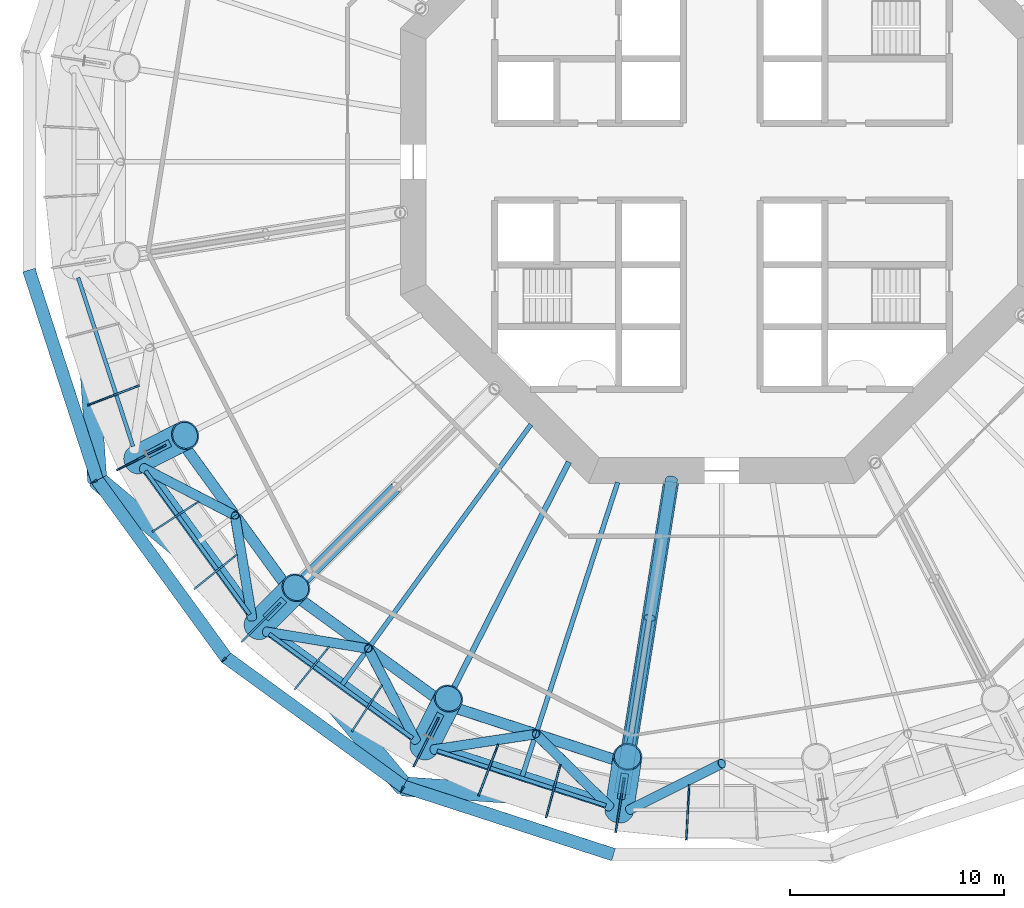
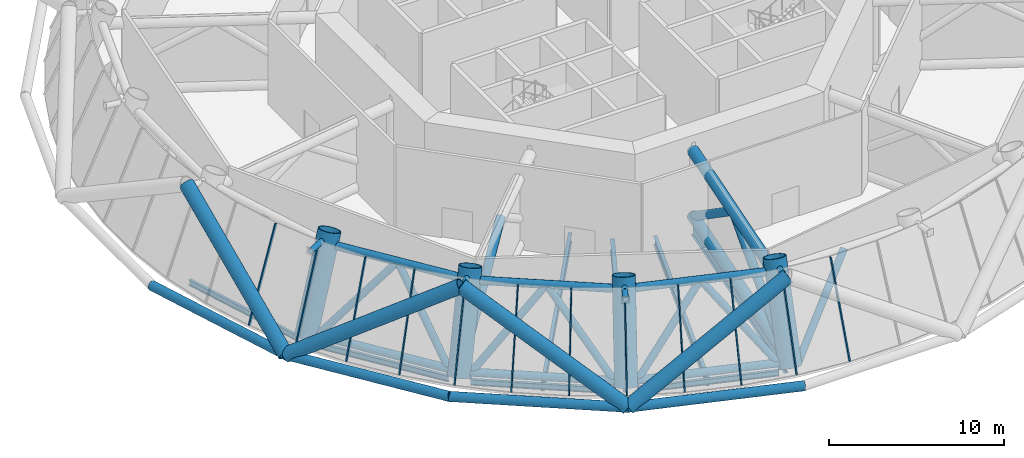
# One storey, part 1 of 18: 46 members, 8 beams, 5 elements without a shape of their own.
"""IFC4 building model written with IfcOpenShell, lengths in metres."""

from ifc_helpers import new_model, si_unit, direction, frame, origin, origin_2d, place, context, subcontext, project, spatial, rectangle, circle, hollow_circle, i_section, extrude, material, layer, layer_set, material_profile, profile_set, type_object, element, aggregate, save


model = new_model("IFC4")

# Units and contexts
model_context = context("Model", 3, precision=1e-05, world=origin(), true_north=direction((0.0, 1.0)))
body_context = subcontext(model_context, "Body", "Model", "MODEL_VIEW")
ifc_project = project(units=[si_unit("LENGTHUNIT", "METRE"), si_unit("AREAUNIT", "SQUARE_METRE"), si_unit("VOLUMEUNIT", "CUBIC_METRE"), si_unit("PLANEANGLEUNIT", "RADIAN"), si_unit("MASSUNIT", "GRAM", prefix="KILO")], contexts=[model_context])

# Site, building, storey
site_placement = place(None, origin())
site = spatial("IfcSite", under=ifc_project, at=site_placement, CompositionType="ELEMENT")
building_placement = place(site_placement, origin())
building = spatial("IfcBuilding", under=site, at=building_placement, Name="Entoto Ring Tower", CompositionType="ELEMENT")
storey_placement = place(building_placement, frame((0.0, 0.0, 138.0)))
storey = spatial("IfcBuildingStorey", under=building, at=storey_placement, Name="L31", CompositionType="ELEMENT", Elevation=138.0)

# Members
ifc_material_1 = material(Name="Steel S355", Category="steel")
ifc_material_profile_1 = material_profile(ifc_material_1, hollow_circle(Radius=0.449951171875, WallThickness=0.044921875, at=origin_2d()), Name="CHS 900 x 45")
ifc_material_2 = material(Name="Concrete C60/75", Category="concrete")
ifc_material_profile_2 = material_profile(ifc_material_2, circle(Radius=0.405029296875, at=origin_2d()), Name="Concrete C60/75 infill")
ifc_profile_set_1 = profile_set([ifc_material_profile_1, ifc_material_profile_2], Name="Steel S355")
member_type_1 = type_object("IfcMemberType", Name="Diagrid diagonal 900 x 45 concrete-filled tube", PredefinedType="BRACE", material=ifc_profile_set_1)
member_1_placement = place(storey_placement, frame((60.864013671875, 65.154541015625, 0.0), z_axis=(-0.058724268288, 0.858720728799, 0.509067942661), x_axis=(-0.997669863704, -0.068226410257, 0.0)))
element("IfcMember", 1, at=member_1_placement, inside=storey, type_object=member_type_1, Name="DG2 module 10 11", PredefinedType="BRACE", context=body_context, shape_type="SweptSolid", body=[
    extrude(hollow_circle(Radius=0.449951171875, WallThickness=0.044921875, at=origin_2d()), origin(), (0.0, 0.0, 1.0), 11.7861328125),
])
for number, where, z_axis, x_axis, name in (
    (2, (60.864013671875, 65.154541015625, 0.0), (0.660190481953, -0.552271543356, 0.509062540301), (0.641631920107, 0.767012698134, 0.0), "DG2 module 10 12"),
    (3, (75.154541015625, 50.864013671875, 0.0), (-0.552271543356, 0.660190481953, 0.509062540301), (-0.767012698134, -0.641631920107, 0.0), "DG2 module 10 13"),
):
    element("IfcMember", number, at=place(storey_placement, frame(where, z_axis=z_axis, x_axis=x_axis)), inside=storey, type_object=member_type_1, Name=name, PredefinedType="BRACE", context=body_context, shape_type="SweptSolid", body=[
        extrude(hollow_circle(Radius=0.449951171875, WallThickness=0.044921875, at=origin_2d()), origin(), (0.0, 0.0, 1.0), 11.786376953125),
    ])
member_2_placement = place(storey_placement, frame((75.154541015625, 50.864013671875, 0.0), z_axis=(0.858720728799, -0.058724268288, 0.509067942661), x_axis=(0.068226410257, 0.997669863704, 0.0)))
element("IfcMember", 4, at=member_2_placement, inside=storey, type_object=member_type_1, Name="DG2 module 10 14", PredefinedType="BRACE", context=body_context, shape_type="SweptSolid", body=[
    extrude(hollow_circle(Radius=0.449951171875, WallThickness=0.044921875, at=origin_2d()), origin(), (0.0, 0.0, 1.0), 11.7861328125),
])
ifc_material_3 = material(Name="Steel S355", Category="steel")
ifc_material_profile_3 = material_profile(ifc_material_3, hollow_circle(Radius=0.177734375, WallThickness=0.01611328125, at=origin_2d()), Name="CHS 355.6 x 16")
ifc_material_4 = material(Name="Concrete C60/75", Category="concrete")
ifc_material_profile_4 = material_profile(ifc_material_4, circle(Radius=0.161865234375, at=origin_2d()), Name="Concrete C60/75 infill")
ifc_profile_set_2 = profile_set([ifc_material_profile_3, ifc_material_profile_4], Name="Steel S355")
member_type_2 = type_object("IfcMemberType", Name="Diagrid node strut 355.6 x 16", PredefinedType="STRUT", material=ifc_profile_set_2)
member_3_placement = place(storey_placement, frame((64.25732421875, 66.883544921875, 5.672119140625), z_axis=(-0.891007115266, -0.453989339683, 0.0), x_axis=(0.453989339683, -0.891007115266, 0.0)))
element("IfcMember", 5, at=member_3_placement, inside=storey, type_object=member_type_2, Name="DS1 strut ring 10 12", PredefinedType="STRUT", context=body_context, shape_type="SweptSolid", body=[
    extrude(hollow_circle(Radius=0.177734375, WallThickness=0.01611328125, at=origin_2d()), origin(), (0.0, 0.0, 1.0), 1.208251953125),
])
member_4_placement = place(storey_placement, frame((69.570556640625, 59.570556640625, 5.672119140625), z_axis=(-0.707106781187, -0.707106781187, 0.0), x_axis=(0.707106781187, -0.707106781187, 0.0)))
element("IfcMember", 6, at=member_4_placement, inside=storey, type_object=member_type_2, Name="DS1 strut ring 10 13", PredefinedType="STRUT", context=body_context, shape_type="SweptSolid", body=[
    extrude(hollow_circle(Radius=0.177734375, WallThickness=0.01611328125, at=origin_2d()), origin(), (0.0, 0.0, 1.0), 1.20849609375),
])
member_5_placement = place(storey_placement, frame((76.883544921875, 54.25732421875, 5.672119140625), z_axis=(-0.453989339683, -0.891007115266, 0.0), x_axis=(0.891007115266, -0.453989339683, 0.0)))
element("IfcMember", 7, at=member_5_placement, inside=storey, type_object=member_type_2, Name="DS1 strut ring 10 14", PredefinedType="STRUT", context=body_context, shape_type="SweptSolid", body=[
    extrude(hollow_circle(Radius=0.177734375, WallThickness=0.01611328125, at=origin_2d()), origin(), (0.0, 0.0, 1.0), 1.208251953125),
])
member_6_placement = place(storey_placement, frame((85.48046875, 51.464111328125, 5.672119140625), z_axis=(-0.156564231664, -0.987667778842, 0.0), x_axis=(0.987667778842, -0.156564231664, 0.0)))
element("IfcMember", 8, at=member_6_placement, inside=storey, type_object=member_type_2, Name="DS1 strut ring 10 15", PredefinedType="STRUT", context=body_context, shape_type="SweptSolid", body=[
    extrude(hollow_circle(Radius=0.177734375, WallThickness=0.01611328125, at=origin_2d()), origin(), (0.0, 0.0, 1.0), 1.20849609375),
])
ifc_material_5 = material(Name="Steel S355", Category="steel")
ifc_material_profile_5 = material_profile(ifc_material_5, hollow_circle(Radius=0.300048828125, WallThickness=0.030029296875, at=origin_2d()), Name="CHS 600 x 30")
ifc_material_6 = material(Name="Concrete C60/75", Category="concrete")
ifc_material_profile_6 = material_profile(ifc_material_6, circle(Radius=0.27001953125, at=origin_2d()), Name="Concrete C60/75 infill")
ifc_profile_set_3 = profile_set([ifc_material_profile_5, ifc_material_profile_6], Name="Steel S355")
member_type_3 = type_object("IfcMemberType", Name="Diagrid ring beam 600 x 30", PredefinedType="CHORD", material=ifc_profile_set_3)
member_7_placement = place(storey_placement, frame((57.681640625, 74.94873046875, 0.0), z_axis=(0.309032815696, -0.951051375491, 0.0), x_axis=(0.951051375491, 0.309032815696, 0.0)))
element("IfcMember", 9, at=member_7_placement, inside=storey, type_object=member_type_3, Name="DR1 ring 9 10", PredefinedType="CHORD", context=body_context, shape_type="SweptSolid", body=[
    extrude(hollow_circle(Radius=0.300048828125, WallThickness=0.030029296875, at=origin_2d()), origin(), (0.0, 0.0, 1.0), 10.36572265625),
])
for number, where, z_axis, x_axis, name in (
    (10, (60.824462890625, 65.209228515625, 0.0), (0.587773909122, -0.809025235549, 0.0), (0.809025235549, 0.587773909122, 0.0), "DR1 ring 9 11"),
    (11, (66.822998046875, 56.917236328125, 0.0), (0.809025235549, -0.587773909122, 0.0), (0.587773909122, 0.809025235549, 0.0), "DR1 ring 9 12"),
):
    element("IfcMember", number, at=place(storey_placement, frame(where, z_axis=z_axis, x_axis=x_axis)), inside=storey, type_object=member_type_3, Name=name, PredefinedType="CHORD", context=body_context, shape_type="SweptSolid", body=[
        extrude(hollow_circle(Radius=0.300048828125, WallThickness=0.030029296875, at=origin_2d()), origin(), (0.0, 0.0, 1.0), 10.365966796875),
    ])
member_8_placement = place(storey_placement, frame((75.09033203125, 50.885009765625, 0.0), z_axis=(0.951051375491, -0.309032815696, 0.0), x_axis=(0.309032815696, 0.951051375491, 0.0)))
element("IfcMember", 12, at=member_8_placement, inside=storey, type_object=member_type_3, Name="DR1 ring 9 13", PredefinedType="CHORD", context=body_context, shape_type="SweptSolid", body=[
    extrude(hollow_circle(Radius=0.300048828125, WallThickness=0.030029296875, at=origin_2d()), origin(), (0.0, 0.0, 1.0), 10.36572265625),
])

# Beams
ifc_material_7 = material(Name="Steel S355", Category="steel")
ifc_material_profile_7 = material_profile(ifc_material_7, i_section(OverallWidth=0.179931640625, OverallDepth=0.39990234375, WebThickness=0.008544921875, FlangeThickness=0.013427734375, FilletRadius=0.02099609375, at=origin_2d()), Name="IPE 400")
ifc_profile_set_4 = profile_set([ifc_material_profile_7], Name="Steel S355")
beam_type_1 = type_object("IfcBeamType", Name="Edge beam IPE 400", PredefinedType="SPANDREL", material=ifc_profile_set_4)
beam_1_placement = place(storey_placement, frame((59.977294921875, 74.595947265625, -0.35009765625), z_axis=(0.309014697302, -0.951057262656, 0.0), x_axis=(0.951057262656, 0.309014697302, 0.0)))
element("IfcBeam", 13, at=beam_1_placement, inside=storey, type_object=beam_type_1, Name="Edge beam L31 11", PredefinedType="SPANDREL", context=body_context, shape_type="SweptSolid", body=[
    extrude(i_section(OverallWidth=0.179931640625, OverallDepth=0.39990234375, WebThickness=0.008544921875, FlangeThickness=0.013427734375, FilletRadius=0.02099609375, at=origin_2d()), origin(), (0.0, 0.0, 1.0), 8.27587890625),
])
for number, where, z_axis, x_axis, name in (
    (14, (63.11669921875, 65.5830078125, -0.35009765625), (0.587776972549, -0.809023009896, 0.0), (0.809023009896, 0.587776972549, 0.0), "Edge beam L31 12"),
    (15, (68.887451171875, 57.981201171875, -0.35009765625), (0.809023009896, -0.587776972549, 0.0), (0.587776972549, 0.809023009896, 0.0), "Edge beam L31 13"),
):
    element("IfcBeam", number, at=place(storey_placement, frame(where, z_axis=z_axis, x_axis=x_axis)), inside=storey, type_object=beam_type_1, Name=name, PredefinedType="SPANDREL", context=body_context, shape_type="SweptSolid", body=[
        extrude(i_section(OverallWidth=0.179931640625, OverallDepth=0.39990234375, WebThickness=0.008544921875, FlangeThickness=0.013427734375, FilletRadius=0.02099609375, at=origin_2d()), origin(), (0.0, 0.0, 1.0), 8.276123046875),
    ])
beam_2_placement = place(storey_placement, frame((76.72509765625, 52.53466796875, -0.35009765625), z_axis=(0.951057262656, -0.309014697302, 0.0), x_axis=(0.309014697302, 0.951057262656, 0.0)))
element("IfcBeam", 16, at=beam_2_placement, inside=storey, type_object=beam_type_1, Name="Edge beam L31 14", PredefinedType="SPANDREL", context=body_context, shape_type="SweptSolid", body=[
    extrude(i_section(OverallWidth=0.179931640625, OverallDepth=0.39990234375, WebThickness=0.008544921875, FlangeThickness=0.013427734375, FilletRadius=0.02099609375, at=origin_2d()), origin(), (0.0, 0.0, 1.0), 8.27587890625),
])

# Curtain wall, member
ifc_material_8 = material(Name="Anodised aluminium", Category="aluminium")
ifc_layer = layer(ifc_material_8, 0.10009765625)
ifc_layer_set = layer_set([ifc_layer], Name="Anodised aluminium")
curtain_wall_type = type_object("IfcCurtainWallType", Name="Louvre curtain wall system CW7", PredefinedType="NOTDEFINED", material=ifc_layer_set)
curtain_wall_1_placement = place(storey_placement, origin())
curtain_wall_1 = element("IfcCurtainWall", 17, at=curtain_wall_1_placement, inside=storey, type_object=curtain_wall_type, Name="CW7 L31-11", PredefinedType="NOTDEFINED")
ifc_material_9 = material(Name="Anodised aluminium", Category="aluminium")
ifc_material_profile_8 = material_profile(ifc_material_9, rectangle(XDim=0.080078125, YDim=0.199951171875, at=origin_2d()), Name="Mullion 80 x 200 mm anodised aluminium")
ifc_profile_set_5 = profile_set([ifc_material_profile_8], Name="Anodised aluminium")
member_type_4 = type_object("IfcMemberType", Name="Mullion 80 x 200 mm anodised aluminium", PredefinedType="MULLION", material=ifc_profile_set_5)
member_9_placement = place(storey_placement, frame((60.506103515625, 68.67822265625, 0.03857421875), z_axis=(0.359065607861, 0.137840906866, 0.92307733893), x_axis=(-0.358387287841, 0.933573002991, 0.0)))
member_9 = element("IfcMember", 18, at=member_9_placement, type_object=member_type_4, Name="MULLION L31-32", PredefinedType="MULLION", context=body_context, shape_type="SweptSolid", body=[
    extrude(rectangle(XDim=0.080078125, YDim=0.199951171875, at=origin_2d()), origin(), (0.0, 0.0, 1.0), 6.25390625),
])
aggregate(curtain_wall_1, [member_9])

# Curtain wall, members
curtain_wall_2_placement = place(storey_placement, origin())
curtain_wall_2 = element("IfcCurtainWall", 19, at=curtain_wall_2_placement, inside=storey, type_object=curtain_wall_type, Name="CW7 L31-12", PredefinedType="NOTDEFINED")
member_10_placement = place(storey_placement, frame((61.85107421875, 65.657470703125, 0.03857421875), z_axis=(0.342707021712, 0.174613111757, 0.923072130698), x_axis=(-0.453980514773, 0.891011611713, 0.0)))
member_10 = element("IfcMember", 20, at=member_10_placement, type_object=member_type_4, Name="MULLION L31-33", PredefinedType="MULLION", context=body_context, shape_type="SweptSolid", body=[
    extrude(rectangle(XDim=0.080078125, YDim=0.199951171875, at=origin_2d()), origin(), (0.0, 0.0, 1.0), 6.254150390625),
])
member_11_placement = place(storey_placement, frame((63.50439453125, 62.793701171875, 0.03857421875), z_axis=(0.322565689083, 0.209474462982, 0.923077367064), x_axis=(-0.544635112654, 0.838673115143, 0.0)))
member_11 = element("IfcMember", 21, at=member_11_placement, type_object=member_type_4, Name="MULLION L31-34", PredefinedType="MULLION", context=body_context, shape_type="SweptSolid", body=[
    extrude(rectangle(XDim=0.080078125, YDim=0.199951171875, at=origin_2d()), origin(), (0.0, 0.0, 1.0), 6.25390625),
])
member_12_placement = place(storey_placement, frame((65.4482421875, 60.118408203125, 0.03857421875), z_axis=(0.298909386308, 0.242031891748, 0.923078405204), x_axis=(-0.629288738535, 0.777171592091, 0.0)))
member_12 = element("IfcMember", 22, at=member_12_placement, type_object=member_type_4, Name="MULLION L31-35", PredefinedType="MULLION", context=body_context, shape_type="SweptSolid", body=[
    extrude(rectangle(XDim=0.080078125, YDim=0.199951171875, at=origin_2d()), origin(), (0.0, 0.0, 1.0), 6.25390625),
])
aggregate(curtain_wall_2, [member_10, member_11, member_12])

curtain_wall_3_placement = place(storey_placement, origin())
curtain_wall_3 = element("IfcCurtainWall", 23, at=curtain_wall_3_placement, inside=storey, type_object=curtain_wall_type, Name="CW7 L31-13", PredefinedType="NOTDEFINED")
member_13_placement = place(storey_placement, frame((67.660888671875, 57.660888671875, 0.03857421875), z_axis=(0.271971811529, 0.271971811529, 0.923072406405), x_axis=(-0.707106781187, 0.707106781187, 0.0)))
member_13 = element("IfcMember", 24, at=member_13_placement, type_object=member_type_4, Name="MULLION L31-36", PredefinedType="MULLION", context=body_context, shape_type="SweptSolid", body=[
    extrude(rectangle(XDim=0.080078125, YDim=0.199951171875, at=origin_2d()), origin(), (0.0, 0.0, 1.0), 6.254150390625),
])
member_14_placement = place(storey_placement, frame((70.118408203125, 55.4482421875, 0.03857421875), z_axis=(0.242031891748, 0.298909386308, 0.923078405204), x_axis=(-0.777171592091, 0.629288738535, 0.0)))
member_14 = element("IfcMember", 25, at=member_14_placement, type_object=member_type_4, Name="MULLION L31-37", PredefinedType="MULLION", context=body_context, shape_type="SweptSolid", body=[
    extrude(rectangle(XDim=0.080078125, YDim=0.199951171875, at=origin_2d()), origin(), (0.0, 0.0, 1.0), 6.25390625),
])
member_15_placement = place(storey_placement, frame((72.793701171875, 53.50439453125, 0.03857421875), z_axis=(0.209474462982, 0.322565689083, 0.923077367064), x_axis=(-0.838673115143, 0.544635112654, 0.0)))
member_15 = element("IfcMember", 26, at=member_15_placement, type_object=member_type_4, Name="MULLION L31-38", PredefinedType="MULLION", context=body_context, shape_type="SweptSolid", body=[
    extrude(rectangle(XDim=0.080078125, YDim=0.199951171875, at=origin_2d()), origin(), (0.0, 0.0, 1.0), 6.25390625),
])
aggregate(curtain_wall_3, [member_13, member_14, member_15])

curtain_wall_4_placement = place(storey_placement, origin())
curtain_wall_4 = element("IfcCurtainWall", 27, at=curtain_wall_4_placement, inside=storey, type_object=curtain_wall_type, Name="CW7 L31-14", PredefinedType="NOTDEFINED")
member_16_placement = place(storey_placement, frame((75.657470703125, 51.85107421875, 0.03857421875), z_axis=(0.174613111757, 0.342707021712, 0.923072130698), x_axis=(-0.891011611713, 0.453980514773, 0.0)))
member_16 = element("IfcMember", 28, at=member_16_placement, type_object=member_type_4, Name="MULLION L31-39", PredefinedType="MULLION", context=body_context, shape_type="SweptSolid", body=[
    extrude(rectangle(XDim=0.080078125, YDim=0.199951171875, at=origin_2d()), origin(), (0.0, 0.0, 1.0), 6.254150390625),
])
member_17_placement = place(storey_placement, frame((78.67822265625, 50.506103515625, 0.03857421875), z_axis=(0.137840906866, 0.359065607861, 0.92307733893), x_axis=(-0.933573002991, 0.358387287841, 0.0)))
member_17 = element("IfcMember", 29, at=member_17_placement, type_object=member_type_4, Name="MULLION L31-40", PredefinedType="MULLION", context=body_context, shape_type="SweptSolid", body=[
    extrude(rectangle(XDim=0.080078125, YDim=0.199951171875, at=origin_2d()), origin(), (0.0, 0.0, 1.0), 6.25390625),
])
member_18_placement = place(storey_placement, frame((81.8232421875, 49.484130859375, 0.03857421875), z_axis=(0.099544909119, 0.371517215719, 0.923074086676), x_axis=(-0.965927664957, 0.258812183003, 0.0)))
member_18 = element("IfcMember", 30, at=member_18_placement, type_object=member_type_4, Name="MULLION L31-41", PredefinedType="MULLION", context=body_context, shape_type="SweptSolid", body=[
    extrude(rectangle(XDim=0.080078125, YDim=0.199951171875, at=origin_2d()), origin(), (0.0, 0.0, 1.0), 6.254150390625),
])
aggregate(curtain_wall_4, [member_16, member_17, member_18])

curtain_wall_5_placement = place(storey_placement, origin())
curtain_wall_5 = element("IfcCurtainWall", 31, at=curtain_wall_5_placement, inside=storey, type_object=curtain_wall_type, Name="CW7 L31-15", PredefinedType="NOTDEFINED")
member_19_placement = place(storey_placement, frame((85.057861328125, 48.796630859375, 0.03857421875), z_axis=(0.060156755817, 0.379873712431, 0.923080238838), x_axis=(-0.987692088264, 0.156410801358, 0.0)))
member_19 = element("IfcMember", 32, at=member_19_placement, type_object=member_type_4, Name="MULLION L31-42", PredefinedType="MULLION", context=body_context, shape_type="SweptSolid", body=[
    extrude(rectangle(XDim=0.080078125, YDim=0.199951171875, at=origin_2d()), origin(), (0.0, 0.0, 1.0), 6.25390625),
])
member_20_placement = place(storey_placement, frame((88.3466796875, 48.450927734375, 0.03857421875), z_axis=(0.020104239044, 0.384088559131, 0.923077352293), x_axis=(-0.998632928395, 0.052271161513, 0.0)))
member_20 = element("IfcMember", 33, at=member_20_placement, type_object=member_type_4, Name="MULLION L31-43", PredefinedType="MULLION", context=body_context, shape_type="SweptSolid", body=[
    extrude(rectangle(XDim=0.080078125, YDim=0.199951171875, at=origin_2d()), origin(), (0.0, 0.0, 1.0), 6.25390625),
])
aggregate(curtain_wall_5, [member_19, member_20])

# Members
ifc_material_10 = material(Name="Steel S355", Category="steel")
ifc_material_profile_9 = material_profile(ifc_material_10, hollow_circle(Radius=0.35546875, WallThickness=0.0400390625, at=origin_2d()), Name="CHS 711 x 40")
ifc_material_11 = material(Name="Concrete C60/75", Category="concrete")
ifc_material_profile_10 = material_profile(ifc_material_11, circle(Radius=0.3154296875, at=origin_2d()), Name="Concrete C60/75 infill")
ifc_profile_set_6 = profile_set([ifc_material_profile_9, ifc_material_profile_10], Name="Steel S355")
member_type_5 = type_object("IfcMemberType", Name="Outrigger chord 711 x 40", PredefinedType="CHORD", material=ifc_profile_set_6)
member_21_placement = place(storey_placement, frame((87.63623046875, 65.075439453125, 0.35546875), z_axis=(-0.156443123004, -0.987686969269, 0.0), x_axis=(0.987686969269, -0.156443123004, 0.0)))
element("IfcMember", 34, at=member_21_placement, inside=storey, type_object=member_type_5, Name="OR1 L31 bottom 08", PredefinedType="CHORD", context=body_context, shape_type="SweptSolid", body=[
    extrude(hollow_circle(Radius=0.35546875, WallThickness=0.0400390625, at=origin_2d()), origin(), (0.0, 0.0, 1.0), 14.739501953125),
])
member_22_placement = place(storey_placement, frame((87.63623046875, 65.075439453125, 4.89453125), z_axis=(-0.156440678087, -0.987687356525, 0.0), x_axis=(0.987687356525, -0.156440678087, 0.0)))
element("IfcMember", 35, at=member_22_placement, inside=storey, type_object=member_type_5, Name="OR1 L31 top 08", PredefinedType="CHORD", context=body_context, shape_type="SweptSolid", body=[
    extrude(hollow_circle(Radius=0.35546875, WallThickness=0.0400390625, at=origin_2d()), origin(), (0.0, 0.0, 1.0), 12.848388671875),
])
ifc_material_12 = material(Name="Steel S355", Category="steel")
ifc_material_profile_11 = material_profile(ifc_material_12, hollow_circle(Radius=0.279541015625, WallThickness=0.031982421875, at=origin_2d()), Name="CHS 559 x 32")
ifc_material_13 = material(Name="Concrete C60/75", Category="concrete")
ifc_material_profile_12 = material_profile(ifc_material_13, circle(Radius=0.24755859375, at=origin_2d()), Name="Concrete C60/75 infill")
ifc_profile_set_7 = profile_set([ifc_material_profile_11, ifc_material_profile_12], Name="Steel S355")
member_type_6 = type_object("IfcMemberType", Name="Outrigger diagonal 559 x 32", PredefinedType="BRACE", material=ifc_profile_set_7)
member_23_placement = place(storey_placement, frame((74.837646484375, 64.837646484375, 4.89453125), z_axis=(-0.62097693458, -0.62097693458, -0.478304603197), x_axis=(0.707106781187, -0.707106781187, 0.0)))
element("IfcMember", 36, at=member_23_placement, inside=storey, type_object=member_type_6, Name="OR2 L31 07 2", PredefinedType="BRACE", context=body_context, shape_type="SweptSolid", body=[
    extrude(hollow_circle(Radius=0.279541015625, WallThickness=0.031982421875, at=origin_2d()), origin(), (0.0, 0.0, 1.0), 9.59814453125),
])
member_24_placement = place(storey_placement, frame((87.653076171875, 65.182373046875, 0.223388671875), z_axis=(-0.127267435137, -0.803483969529, 0.581563849172), x_axis=(0.98768680661, -0.156444149931, 0.0)))
element("IfcMember", 37, at=member_24_placement, inside=storey, type_object=member_type_6, Name="OR2 L31 08 1", PredefinedType="BRACE", context=body_context, shape_type="SweptSolid", body=[
    extrude(hollow_circle(Radius=0.279541015625, WallThickness=0.031982421875, at=origin_2d()), origin(), (0.0, 0.0, 1.0), 8.031982421875),
])
member_25_placement = place(storey_placement, frame((86.630859375, 58.728759765625, 4.89453125), z_axis=(-0.137005124238, -0.865125410982, -0.48248069309), x_axis=(0.987691388535, -0.156415219895, 0.0)))
element("IfcMember", 38, at=member_25_placement, inside=storey, type_object=member_type_6, Name="OR2 L31 08 2", PredefinedType="BRACE", context=body_context, shape_type="SweptSolid", body=[
    extrude(hollow_circle(Radius=0.279541015625, WallThickness=0.031982421875, at=origin_2d()), origin(), (0.0, 0.0, 1.0), 9.517578125),
])

# Beams
ifc_material_14 = material(Name="Steel S355", Category="steel")
ifc_material_profile_13 = material_profile(ifc_material_14, i_section(OverallWidth=0.262939453125, OverallDepth=0.7529296875, WebThickness=0.011474609375, FlangeThickness=0.01708984375, FilletRadius=0.01708984375, at=origin_2d()), Name="IPE 750 x 137")
ifc_profile_set_8 = profile_set([ifc_material_profile_13], Name="Steel S355")
beam_type_2 = type_object("IfcBeamType", Name="Primary floor beam IPE 750 x 137", PredefinedType="BEAM", material=ifc_profile_set_8)
beam_3_placement = place(storey_placement, frame((82.8681640625, 66.0029296875, -0.526611328125), z_axis=(-0.453992772788, -0.891005366009, 0.0), x_axis=(0.891005366009, -0.453992772788, 0.0)))
element("IfcBeam", 39, at=beam_3_placement, inside=storey, type_object=beam_type_2, Name="Primary L31 R14", PredefinedType="BEAM", context=body_context, shape_type="SweptSolid", body=[
    extrude(i_section(OverallWidth=0.262939453125, OverallDepth=0.7529296875, WebThickness=0.011474609375, FlangeThickness=0.01708984375, FilletRadius=0.01708984375, at=origin_2d()), origin(), (0.0, 0.0, 1.0), 14.24853515625),
])
beam_4_placement = place(storey_placement, frame((87.630615234375, 65.040283203125, -0.526611328125), z_axis=(-0.156439088977, -0.987687608224, 0.0), x_axis=(0.987687608224, -0.156439088977, 0.0)))
element("IfcBeam", 40, at=beam_4_placement, inside=storey, type_object=beam_type_2, Name="Primary L31 R15", PredefinedType="BEAM", context=body_context, shape_type="SweptSolid", body=[
    extrude(i_section(OverallWidth=0.262939453125, OverallDepth=0.7529296875, WebThickness=0.011474609375, FlangeThickness=0.01708984375, FilletRadius=0.01708984375, at=origin_2d()), origin(), (0.0, 0.0, 1.0), 14.811767578125),
])

# Members
ifc_material_15 = material(Name="Steel S355", Category="steel")
ifc_material_profile_14 = material_profile(ifc_material_15, hollow_circle(Radius=0.675048828125, WallThickness=0.06005859375, at=origin_2d()), Name="CHS 1350 x 60")
ifc_material_16 = material(Name="Concrete C60/75", Category="concrete")
ifc_material_profile_15 = material_profile(ifc_material_16, circle(Radius=0.614990234375, at=origin_2d()), Name="Concrete C60/75 infill")
ifc_profile_set_9 = profile_set([ifc_material_profile_14, ifc_material_profile_15], Name="Steel S355")
member_type_7 = type_object("IfcMemberType", Name="Ring column jog 1350 x 60 concrete-filled tube", PredefinedType="STRUT", material=ifc_profile_set_9)
for number, where, z_axis, x_axis, name in (
    (41, (62.735107421875, 66.10791015625, 0.0), (0.342697597672, 0.174616520339, 0.923074984698), (-0.453997461601, 0.891002976909, 0.0), "RJ2B R12"),
    (42, (68.362548828125, 58.362548828125, 0.0), (0.271971397377, 0.271971397377, 0.923072650455), (-0.707106781187, 0.707106781187, 0.0), "RJ2B R13"),
    (43, (76.10791015625, 52.735107421875, 0.0), (0.174616520339, 0.342697597672, 0.923074984698), (-0.891002976909, 0.453997461601, 0.0), "RJ2B R14"),
    (44, (85.213134765625, 49.77685546875, 0.0), (0.060172056163, 0.379850189746, 0.923088921506), (-0.987684444718, 0.156459060658, 0.0), "RJ2B R15"),
):
    element("IfcMember", number, at=place(storey_placement, frame(where, z_axis=z_axis, x_axis=x_axis)), inside=storey, type_object=member_type_7, Name=name, PredefinedType="STRUT", context=body_context, shape_type="SweptSolid", body=[
        extrude(hollow_circle(Radius=0.675048828125, WallThickness=0.06005859375, at=origin_2d()), origin(), (0.0, 0.0, 1.0), 6.5),
    ])
ifc_material_17 = material(Name="Steel S355", Category="steel")
ifc_material_profile_16 = material_profile(ifc_material_17, hollow_circle(Radius=0.25390625, WallThickness=0.030029296875, at=origin_2d()), Name="CHS 508 x 30")
ifc_material_18 = material(Name="Concrete C60/75", Category="concrete")
ifc_material_profile_17 = material_profile(ifc_material_18, circle(Radius=0.22412109375, at=origin_2d()), Name="Concrete C60/75 infill")
ifc_profile_set_10 = profile_set([ifc_material_profile_16, ifc_material_profile_17], Name="Steel S355")
member_type_8 = type_object("IfcMemberType", Name="Ring truss chord 508 x 30", PredefinedType="CHORD", material=ifc_profile_set_10)
member_26_placement = place(storey_placement, frame((63.18701171875, 65.6640625, 0.25390625), z_axis=(0.587777532484, -0.809022603088, 0.0), x_axis=(0.809022603088, 0.587777532484, 0.0)))
element("IfcMember", 45, at=member_26_placement, inside=storey, type_object=member_type_8, Name="BT1 L31 bottom 12", PredefinedType="CHORD", context=body_context, shape_type="SweptSolid", body=[
    extrude(hollow_circle(Radius=0.25390625, WallThickness=0.030029296875, at=origin_2d()), origin(), (0.0, 0.0, 1.0), 8.32470703125),
])
member_27_placement = place(storey_placement, frame((65.036376953125, 66.6064453125, 5.236083984375), z_axis=(0.58780282135, -0.809004229416, 0.0), x_axis=(0.809004229416, 0.58780282135, 0.0)))
element("IfcMember", 46, at=member_27_placement, inside=storey, type_object=member_type_8, Name="BT1 L31 top 12", PredefinedType="CHORD", context=body_context, shape_type="SweptSolid", body=[
    extrude(hollow_circle(Radius=0.25390625, WallThickness=0.030029296875, at=origin_2d()), origin(), (0.0, 0.0, 1.0), 7.675048828125),
])
member_28_placement = place(storey_placement, frame((68.92919921875, 58.080078125, 0.25390625), z_axis=(0.809022603088, -0.587777532484, 0.0), x_axis=(0.587777532484, 0.809022603088, 0.0)))
element("IfcMember", 47, at=member_28_placement, inside=storey, type_object=member_type_8, Name="BT1 L31 bottom 13", PredefinedType="CHORD", context=body_context, shape_type="SweptSolid", body=[
    extrude(hollow_circle(Radius=0.25390625, WallThickness=0.030029296875, at=origin_2d()), origin(), (0.0, 0.0, 1.0), 8.32470703125),
])
member_29_placement = place(storey_placement, frame((70.397216796875, 59.5478515625, 5.236083984375), z_axis=(0.809004229416, -0.58780282135, 0.0), x_axis=(0.58780282135, 0.809004229416, 0.0)))
element("IfcMember", 48, at=member_29_placement, inside=storey, type_object=member_type_8, Name="BT1 L31 top 13", PredefinedType="CHORD", context=body_context, shape_type="SweptSolid", body=[
    extrude(hollow_circle(Radius=0.25390625, WallThickness=0.030029296875, at=origin_2d()), origin(), (0.0, 0.0, 1.0), 7.675048828125),
])
member_30_placement = place(storey_placement, frame((76.734130859375, 52.6416015625, 0.25390625), z_axis=(0.951054971996, -0.309021747199, 0.0), x_axis=(0.309021747199, 0.951054971996, 0.0)))
element("IfcMember", 49, at=member_30_placement, inside=storey, type_object=member_type_8, Name="BT1 L31 bottom 14", PredefinedType="CHORD", context=body_context, shape_type="SweptSolid", body=[
    extrude(hollow_circle(Radius=0.25390625, WallThickness=0.030029296875, at=origin_2d()), origin(), (0.0, 0.0, 1.0), 8.32470703125),
])
member_31_placement = place(storey_placement, frame((77.676513671875, 54.4912109375, 5.236083984375), z_axis=(0.951054403512, -0.309023496777, 0.0), x_axis=(0.309023496777, 0.951054403512, 0.0)))
element("IfcMember", 50, at=member_31_placement, inside=storey, type_object=member_type_8, Name="BT1 L31 top 14", PredefinedType="CHORD", context=body_context, shape_type="SweptSolid", body=[
    extrude(hollow_circle(Radius=0.25390625, WallThickness=0.030029296875, at=origin_2d()), origin(), (0.0, 0.0, 1.0), 7.67529296875),
])
ifc_material_19 = material(Name="Steel S355", Category="steel")
ifc_material_profile_18 = material_profile(ifc_material_19, hollow_circle(Radius=0.228515625, WallThickness=0.02001953125, at=origin_2d()), Name="CHS 457 x 20")
ifc_material_20 = material(Name="Concrete C60/75", Category="concrete")
ifc_material_profile_19 = material_profile(ifc_material_20, circle(Radius=0.20849609375, at=origin_2d()), Name="Concrete C60/75 infill")
ifc_profile_set_11 = profile_set([ifc_material_profile_18, ifc_material_profile_19], Name="Steel S355")
member_type_9 = type_object("IfcMemberType", Name="Ring truss diagonal 457 x 20", PredefinedType="BRACE", material=ifc_profile_set_11)
member_32_placement = place(storey_placement, frame((63.009033203125, 65.722412109375, -0.01220703125), z_axis=(0.600818337811, -0.311504993202, 0.736194243498), x_axis=(0.460281714879, 0.887772911812, 0.0)))
element("IfcMember", 51, at=member_32_placement, inside=storey, type_object=member_type_9, Name="BT2 L31 12 a", PredefinedType="BRACE", context=body_context, shape_type="SweptSolid", body=[
    extrude(hollow_circle(Radius=0.228515625, WallThickness=0.02001953125, at=origin_2d()), origin(), (0.0, 0.0, 1.0), 7.12890625),
])
for number, where, z_axis, x_axis, name in (
    (52, (67.292236328125, 63.501708984375, 5.236083984375), (0.110584625243, -0.667651678261, -0.736214830858), (0.98655891849, 0.163405937307, 0.0), "BT2 L31 12 b"),
    (53, (68.7421875, 58.08056640625, -0.01220703125), (0.667651678261, -0.110584625243, 0.736214830858), (0.163405937307, 0.98655891849, 0.0), "BT2 L31 13 a"),
):
    element("IfcMember", number, at=place(storey_placement, frame(where, z_axis=z_axis, x_axis=x_axis)), inside=storey, type_object=member_type_9, Name=name, PredefinedType="BRACE", context=body_context, shape_type="SweptSolid", body=[
        extrude(hollow_circle(Radius=0.228515625, WallThickness=0.02001953125, at=origin_2d()), origin(), (0.0, 0.0, 1.0), 7.128662109375),
    ])
for number, where, z_axis, x_axis, name in (
    (54, (73.501708984375, 57.292236328125, 5.236083984375), (0.311504993202, -0.600818337811, -0.736194243498), (0.887772911812, 0.460281714879, 0.0), "BT2 L31 13 b"),
    (55, (76.555908203125, 52.58447265625, -0.01220703125), (0.669173052268, 0.101129376835, 0.736193096449), (-0.149429120526, 0.988772439917, 0.0), "BT2 L31 14 a"),
    (56, (81.326416015625, 53.305419921875, 5.236083984375), (0.481912772872, -0.475166268021, -0.736190937921), (0.702104901778, 0.712073526329, 0.0), "BT2 L31 14 b"),
    (57, (85.685791015625, 49.771728515625, -0.01220703125), (0.605166030745, 0.302976847604, 0.736192301677), (-0.447679076632, 0.89419429899, 0.0), "BT2 L31 15 a"),
):
    element("IfcMember", number, at=place(storey_placement, frame(where, z_axis=z_axis, x_axis=x_axis)), inside=storey, type_object=member_type_9, Name=name, PredefinedType="BRACE", context=body_context, shape_type="SweptSolid", body=[
        extrude(hollow_circle(Radius=0.228515625, WallThickness=0.02001953125, at=origin_2d()), origin(), (0.0, 0.0, 1.0), 7.12890625),
    ])

# Beams
ifc_material_21 = material(Name="Steel S355", Category="steel")
ifc_material_profile_20 = material_profile(ifc_material_21, i_section(OverallWidth=0.219970703125, OverallDepth=0.60009765625, WebThickness=0.011962890625, FlangeThickness=0.01904296875, FilletRadius=0.02392578125, at=origin_2d()), Name="IPE 600")
ifc_profile_set_12 = profile_set([ifc_material_profile_20], Name="Steel S355")
beam_type_3 = type_object("IfcBeamType", Name="Secondary floor beam IPE 600", PredefinedType="JOIST", material=ifc_profile_set_12)
beam_5_placement = place(storey_placement, frame((81.09521484375, 67.74365234375, -0.449951171875), z_axis=(-0.587782163866, -0.809019238239, 0.0), x_axis=(0.809019238239, -0.587782163866, 0.0)))
element("IfcBeam", 58, at=beam_5_placement, inside=storey, type_object=beam_type_3, Name="Secondary beam L31 13", PredefinedType="JOIST", context=body_context, shape_type="SweptSolid", body=[
    extrude(i_section(OverallWidth=0.219970703125, OverallDepth=0.60009765625, WebThickness=0.011962890625, FlangeThickness=0.01904296875, FilletRadius=0.02392578125, at=origin_2d()), origin(), (0.0, 0.0, 1.0), 14.983642578125),
])
beam_6_placement = place(storey_placement, frame((85.143310546875, 65.052978515625, -0.449951171875), z_axis=(-0.309014850288, -0.951057212949, 0.0), x_axis=(0.951057212949, -0.309014850288, 0.0)))
element("IfcBeam", 59, at=beam_6_placement, inside=storey, type_object=beam_type_3, Name="Secondary beam L31 14", PredefinedType="JOIST", context=body_context, shape_type="SweptSolid", body=[
    extrude(i_section(OverallWidth=0.219970703125, OverallDepth=0.60009765625, WebThickness=0.011962890625, FlangeThickness=0.01904296875, FilletRadius=0.02392578125, at=origin_2d()), origin(), (0.0, 0.0, 1.0), 14.4169921875),
])

save(model, "model.ifc")
